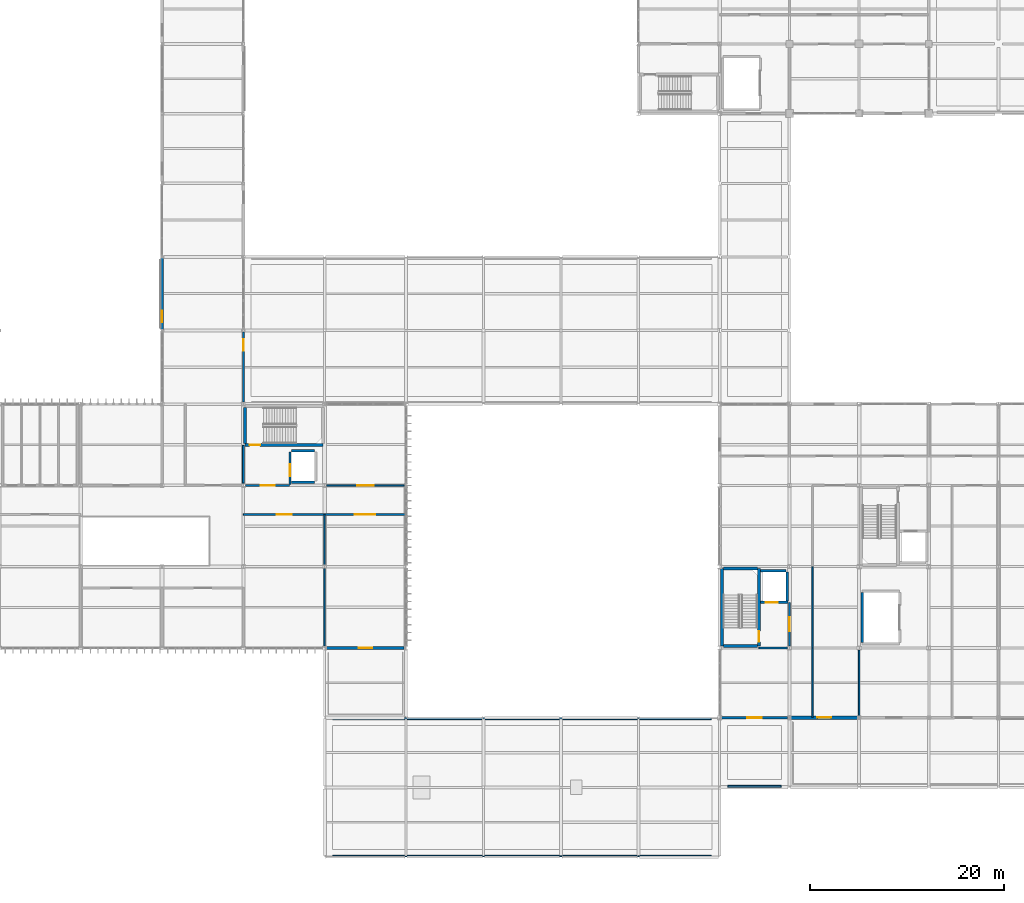
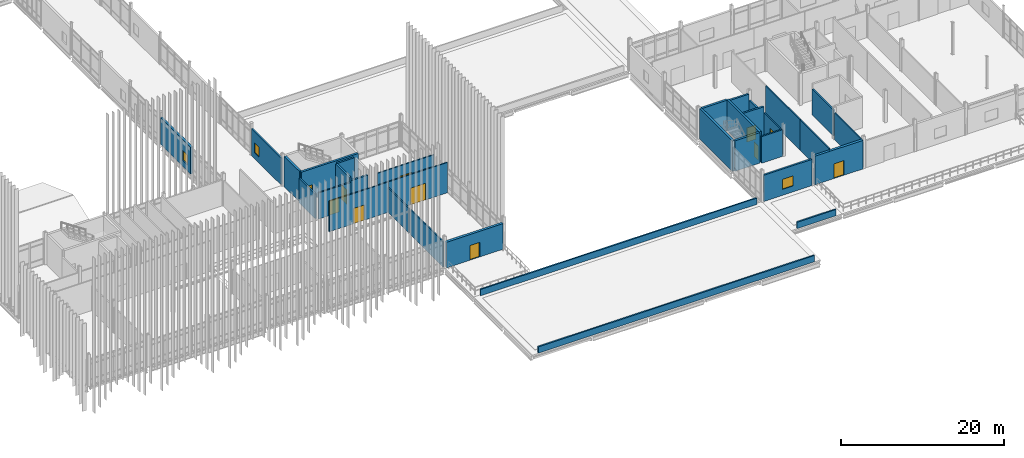
# One storey, part 128 of 153: 33 walls, 11 doors, 3 windows, 14 openings.
"""IFC4 building model written with IfcOpenShell, lengths in metres."""

from ifc_helpers import new_model, si_unit, direction, frame, frame_2d, origin, place, context, subcontext, project, spatial, rectangle, extrude, material, layer, layer_set, type_object, element, fill, save


model = new_model("IFC4")

# Units and contexts
model_context = context("Model", 3, precision=1e-05, world=origin(), true_north=direction((0.0, 1.0)))
body_context = subcontext(model_context, "Body", "Model", "MODEL_VIEW")
ifc_project = project(units=[si_unit("LENGTHUNIT", "METRE"), si_unit("AREAUNIT", "SQUARE_METRE"), si_unit("VOLUMEUNIT", "CUBIC_METRE"), si_unit("PLANEANGLEUNIT", "RADIAN"), si_unit("MASSUNIT", "GRAM", prefix="KILO")], contexts=[model_context])

# Site, building, storey
site_placement = place(None, origin())
site = spatial("IfcSite", under=ifc_project, at=site_placement, CompositionType="ELEMENT")
building_placement = place(site_placement, origin())
building = spatial("IfcBuilding", under=site, at=building_placement, Name="Calvrana Isthmian Art Gallery", CompositionType="ELEMENT")
storey_placement = place(building_placement, frame((0.0, 0.0, 10.199951171875)))
storey = spatial("IfcBuildingStorey", under=building, at=storey_placement, Name="L02", CompositionType="ELEMENT", Elevation=10.199951171875)

# Wall, opening, door
ifc_material_1 = material(Name="Concrete C40/50", Category="concrete")
ifc_layer_1 = layer(ifc_material_1, 0.300048828125, Name="Concrete C40/50")
ifc_layer_set_1 = layer_set([ifc_layer_1], Name="Concrete C40/50")
wall_type_1 = type_object("IfcWallType", Name="CW-SHAFT-300", PredefinedType="SHEAR", material=ifc_layer_set_1)
wall_1_placement = place(storey_placement, frame((63.7900390625, 42.56005859375, 0.0), z_axis=(0.0, 0.0, 1.0), x_axis=(1.0, 0.0, 0.0)))
wall_1 = element("IfcWall", 1, at=wall_1_placement, inside=storey, type_object=wall_type_1, Name="Core C2 shear wall S L02", PredefinedType="SHEAR", context=body_context, shape_type="SweptSolid", body=[
    extrude(rectangle(XDim=8.02001953125, YDim=0.300048828125, at=frame_2d((4.010009765625, 0.0))), origin(), (0.0, 0.0, 1.0), 4.56005859375),
])
opening_1_placement = place(wall_1_placement, frame((0.449951171875, 0.0, 0.0)))
opening_1 = element("IfcOpeningElement", 2, at=opening_1_placement, cuts=wall_1, Name="Opening D-120", PredefinedType="OPENING", context=body_context, shape_type="SweptSolid", body=[
    extrude(rectangle(XDim=1.10009765625, YDim=2.14990234375, at=frame_2d((0.550048828125, 1.074951171875))), frame((0.0, 0.16015625, 0.0), z_axis=(0.0, -1.0, 0.0), x_axis=(1.0, 0.0, 0.0)), (0.0, 0.0, 1.0), 0.320556640625),
])
ifc_material_2 = material(Name="Steel ASTM A572 Gr 50", Category="steel")
door_type_1 = type_object("IfcDoorType", Name="DR-FIRE-1100", OperationType="NOTDEFINED", PredefinedType="DOOR", material=ifc_material_2)
door_1_placement = place(opening_1_placement, origin())
door_1 = element("IfcDoor", 3, at=door_1_placement, inside=storey, type_object=door_type_1, Name="Stair ST-2 fire door L02", OperationType="SINGLE_SWING_LEFT", OverallHeight=2.14990234375, OverallWidth=1.10009765625, PredefinedType="DOOR", context=body_context, shape_type="SweptSolid", body=[
    extrude(rectangle(XDim=1.10009765625, YDim=2.14990234375, at=frame_2d((0.550048828125, 1.074951171875))), frame((0.0, 0.02490234375, 0.0), z_axis=(0.0, -1.0, 0.0), x_axis=(1.0, 0.0, 0.0)), (0.0, 0.0, 1.0), 0.050048828125),
])
fill(opening_1, door_1)

# Walls
wall_2_placement = place(storey_placement, frame((63.7900390625, 42.7099609375, 0.0), z_axis=(0.0, 0.0, 1.0), x_axis=(0.0, 1.0, 0.0)))
element("IfcWall", 4, at=wall_2_placement, inside=storey, type_object=wall_type_1, Name="Core C2 shear wall W L02", PredefinedType="SHEAR", context=body_context, shape_type="SweptSolid", body=[
    extrude(rectangle(XDim=3.719970703125, YDim=0.300048828125, at=frame_2d((1.85986328125, 0.0))), origin(), (0.0, 0.0, 1.0), 4.56005859375),
])
wall_3_placement = place(storey_placement, frame((113.02001953125, 21.7900390625, 0.0), z_axis=(0.0, 0.0, 1.0), x_axis=(0.0, 1.0, 0.0)))
element("IfcWall", 5, at=wall_3_placement, inside=storey, type_object=wall_type_1, Name="Core C3 shear wall W L02", PredefinedType="SHEAR", context=body_context, shape_type="SweptSolid", body=[
    extrude(rectangle(XDim=8.02001953125, YDim=0.300048828125, at=frame_2d((4.010009765625, 0.0))), origin(), (0.0, 0.0, 1.0), 4.56005859375),
])

# Wall, opening, door
wall_4_placement = place(storey_placement, frame((116.840087890625, 21.7900390625, 0.0), z_axis=(0.0, 0.0, 1.0), x_axis=(0.0, 1.0, 0.0)))
wall_4 = element("IfcWall", 6, at=wall_4_placement, inside=storey, type_object=wall_type_1, Name="Core C3 shear wall E L02", PredefinedType="SHEAR", context=body_context, shape_type="SweptSolid", body=[
    extrude(rectangle(XDim=8.02001953125, YDim=0.300048828125, at=frame_2d((4.010009765625, 0.0))), origin(), (0.0, 0.0, 1.0), 4.56005859375),
])
opening_2_placement = place(wall_4_placement, frame((0.449951171875, 0.0, 0.0)))
opening_2 = element("IfcOpeningElement", 7, at=opening_2_placement, cuts=wall_4, Name="Opening D-134", PredefinedType="OPENING", context=body_context, shape_type="SweptSolid", body=[
    extrude(rectangle(XDim=1.10009765625, YDim=2.14990234375, at=frame_2d((0.550048828125, 1.074951171875))), frame((0.0, 0.16015625, 0.0), z_axis=(0.0, -1.0, 0.0), x_axis=(1.0, 0.0, 0.0)), (0.0, 0.0, 1.0), 0.320556640625),
])
door_2_placement = place(opening_2_placement, origin())
door_2 = element("IfcDoor", 8, at=door_2_placement, inside=storey, type_object=door_type_1, Name="Stair ST-3 fire door L02", OperationType="SINGLE_SWING_RIGHT", OverallHeight=2.14990234375, OverallWidth=1.10009765625, PredefinedType="DOOR", context=body_context, shape_type="SweptSolid", body=[
    extrude(rectangle(XDim=1.10009765625, YDim=2.14990234375, at=frame_2d((0.550048828125, 1.074951171875))), frame((0.0, 0.02490234375, 0.0), z_axis=(0.0, -1.0, 0.0), x_axis=(1.0, 0.0, 0.0)), (0.0, 0.0, 1.0), 0.050048828125),
])
fill(opening_2, door_2)

# Walls
for number, where, z_axis, x_axis, name in (
    (9, (113.169921875, 21.7900390625, 0.0), (0.0, 0.0, 1.0), (1.0, 0.0, 0.0), "Core C3 shear wall S L02"),
    (10, (113.169921875, 29.81005859375, 0.0), (0.0, 0.0, 1.0), (1.0, 0.0, 0.0), "Core C3 shear wall N L02"),
):
    element("IfcWall", number, at=place(storey_placement, frame(where, z_axis=z_axis, x_axis=x_axis)), inside=storey, type_object=wall_type_1, Name=name, PredefinedType="SHEAR", context=body_context, shape_type="SweptSolid", body=[
        extrude(rectangle(XDim=3.52001953125, YDim=0.300048828125, at=frame_2d((1.760009765625, 0.0))), origin(), (0.0, 0.0, 1.0), 4.56005859375),
    ])

# Wall, opening, window
ifc_material_3 = material(Name="Precast concrete C40/50", Category="concrete")
ifc_layer_2 = layer(ifc_material_3, 0.219970703125, Name="Precast concrete C40/50")
ifc_layer_set_2 = layer_set([ifc_layer_2], Name="Precast concrete C40/50")
wall_type_2 = type_object("IfcWallType", Name="EW-ACOUST-220", PredefinedType="SOLIDWALL", material=ifc_layer_set_2)
wall_5_placement = place(storey_placement, frame((63.60009765625, 54.24755859375, 0.0), z_axis=(0.0, 0.0, 1.0), x_axis=(0.0, -1.0, 0.0)))
wall_5 = element("IfcWall", 11, at=wall_5_placement, inside=storey, type_object=wall_type_2, Name="Exterior wall EW-133", PredefinedType="SOLIDWALL", context=body_context, shape_type="SweptSolid", body=[
    extrude(rectangle(XDim=7.259521484375, YDim=0.219970703125, at=frame_2d((3.6298828125, 0.0))), origin(), (0.0, 0.0, 1.0), 4.007080078125),
])
opening_3_placement = place(wall_5_placement, frame((0.75, 0.0, 0.89990234375)))
opening_3 = element("IfcOpeningElement", 12, at=opening_3_placement, cuts=wall_5, Name="Opening W-090", PredefinedType="OPENING", context=body_context, shape_type="SweptSolid", body=[
    extrude(rectangle(XDim=1.199951171875, YDim=1.5, at=frame_2d((0.60009765625, 0.75))), frame((0.0, 0.1201171875, 0.0), z_axis=(0.0, -1.0, 0.0), x_axis=(1.0, 0.0, 0.0)), (0.0, 0.0, 1.0), 0.240478515625),
])
ifc_material_4 = material(Name="Low-E laminated solar glass", Category="glass")
window_type_1 = type_object("IfcWindowType", Name="WN-G01", PartitioningType="SINGLE_PANEL", PredefinedType="WINDOW", material=ifc_material_4)
window_1_placement = place(opening_3_placement, origin())
window_1 = element("IfcWindow", 13, at=window_1_placement, inside=storey, type_object=window_type_1, Name="Facade window W-090", OverallHeight=1.5, OverallWidth=1.199951171875, PartitioningType="SINGLE_PANEL", PredefinedType="WINDOW", context=body_context, shape_type="SweptSolid", body=[
    extrude(rectangle(XDim=1.199951171875, YDim=1.5, at=frame_2d((0.60009765625, 0.75))), frame((0.0, 0.030029296875, 0.0), z_axis=(0.0, -1.0, 0.0), x_axis=(1.0, 0.0, 0.0)), (0.0, 0.0, 1.0), 0.06005859375),
])
fill(opening_3, window_1)

ifc_material_5 = material(Name="Pale Isthmian limestone", Category="masonry")
ifc_layer_3 = layer(ifc_material_5, 0.300048828125, Name="Pale Isthmian limestone")
ifc_layer_set_3 = layer_set([ifc_layer_3], Name="Pale Isthmian limestone")
wall_type_3 = type_object("IfcWallType", Name="EW-LIME-300", PredefinedType="SOLIDWALL", material=ifc_layer_set_3)
wall_6_placement = place(storey_placement, frame((55.199951171875, 54.501708984375, 0.0), z_axis=(0.0, 0.0, 1.0), x_axis=(0.0, 1.0, 0.0)))
wall_6 = element("IfcWall", 14, at=wall_6_placement, inside=storey, type_object=wall_type_3, Name="Exterior wall EW-130", PredefinedType="SOLIDWALL", context=body_context, shape_type="SweptSolid", body=[
    extrude(rectangle(XDim=7.371337890625, YDim=0.300048828125, at=frame_2d((3.685546875, 0.0))), origin(), (0.0, 0.0, 1.0), 4.007080078125),
])
opening_4_placement = place(wall_6_placement, frame((0.75, 0.0, 0.89990234375)))
opening_4 = element("IfcOpeningElement", 15, at=opening_4_placement, cuts=wall_6, Name="Opening W-087", PredefinedType="OPENING", context=body_context, shape_type="SweptSolid", body=[
    extrude(rectangle(XDim=1.199951171875, YDim=1.5, at=frame_2d((0.60009765625, 0.75))), frame((0.0, 0.16015625, 0.0), z_axis=(0.0, -1.0, 0.0), x_axis=(1.0, 0.0, 0.0)), (0.0, 0.0, 1.0), 0.320556640625),
])
window_2_placement = place(opening_4_placement, origin())
window_2 = element("IfcWindow", 16, at=window_2_placement, inside=storey, type_object=window_type_1, Name="Facade window W-087", OverallHeight=1.5, OverallWidth=1.199951171875, PartitioningType="SINGLE_PANEL", PredefinedType="WINDOW", context=body_context, shape_type="SweptSolid", body=[
    extrude(rectangle(XDim=1.199951171875, YDim=1.5, at=frame_2d((0.60009765625, 0.75))), frame((0.0, 0.030029296875, 0.0), z_axis=(0.0, -1.0, 0.0), x_axis=(1.0, 0.0, 0.0)), (0.0, 0.0, 1.0), 0.06005859375),
])
fill(opening_4, window_2)

# Wall, opening, door
ifc_layer_4 = layer(ifc_material_3, 0.35009765625, Name="Precast concrete C40/50")
ifc_layer_set_4 = layer_set([ifc_layer_4], Name="Precast concrete C40/50")
wall_type_4 = type_object("IfcWallType", Name="EW-PREC-350", PredefinedType="SOLIDWALL", material=ifc_layer_set_4)
wall_7_placement = place(storey_placement, frame((127.014404296875, 14.39990234375, 0.0), z_axis=(0.0, 0.0, 1.0), x_axis=(-1.0, 0.0, 0.0)))
wall_7 = element("IfcWall", 17, at=wall_7_placement, inside=storey, type_object=wall_type_4, Name="Exterior wall EW-112", PredefinedType="SOLIDWALL", context=body_context, shape_type="SweptSolid", body=[
    extrude(rectangle(XDim=6.827880859375, YDim=0.35009765625, at=frame_2d((3.4140625, 0.0))), origin(), (0.0, 0.0, 1.0), 4.2861328125),
])
opening_5_placement = place(wall_7_placement, frame((2.714111328125, 0.0, 0.0)))
opening_5 = element("IfcOpeningElement", 18, at=opening_5_placement, cuts=wall_7, Name="Opening D-T23", PredefinedType="OPENING", context=body_context, shape_type="SweptSolid", body=[
    extrude(rectangle(XDim=1.39990234375, YDim=2.199951171875, at=frame_2d((0.699951171875, 1.10009765625))), frame((0.0, 0.185302734375, 0.0), z_axis=(0.0, -1.0, 0.0), x_axis=(1.0, 0.0, 0.0)), (0.0, 0.0, 1.0), 0.37060546875),
])
ifc_material_6 = material(Name="Anodized bronze aluminium 6063-T6", Category="aluminium")
door_type_2 = type_object("IfcDoorType", Name="DR-EXT-TER-1400", OperationType="NOTDEFINED", PredefinedType="DOOR", material=ifc_material_6)
door_3_placement = place(opening_5_placement, origin())
door_3 = element("IfcDoor", 19, at=door_3_placement, inside=storey, type_object=door_type_2, Name="Sculpture terrace access door D-T23", OperationType="SINGLE_SWING_RIGHT", OverallHeight=2.199951171875, OverallWidth=1.39990234375, PredefinedType="DOOR", context=body_context, shape_type="SweptSolid", body=[
    extrude(rectangle(XDim=1.39990234375, YDim=2.199951171875, at=frame_2d((0.699951171875, 1.10009765625))), frame((0.0, 0.02490234375, 0.0), z_axis=(0.0, -1.0, 0.0), x_axis=(1.0, 0.0, 0.0)), (0.0, 0.0, 1.0), 0.050048828125),
])
fill(opening_5, door_3)

wall_8_placement = place(storey_placement, frame((80.21337890625, 21.60009765625, 0.0), z_axis=(0.0, 0.0, 1.0), x_axis=(-1.0, 0.0, 0.0)))
wall_8 = element("IfcWall", 20, at=wall_8_placement, inside=storey, type_object=wall_type_4, Name="Exterior wall EW-116", PredefinedType="SOLIDWALL", context=body_context, shape_type="SweptSolid", body=[
    extrude(rectangle(XDim=8.016357421875, YDim=0.35009765625, at=frame_2d((4.00830078125, 0.0))), origin(), (0.0, 0.0, 1.0), 3.84716796875),
])
opening_6_placement = place(wall_8_placement, frame((3.308349609375, 0.0, 0.0)))
opening_6 = element("IfcOpeningElement", 21, at=opening_6_placement, cuts=wall_8, Name="Opening D-T25", PredefinedType="OPENING", context=body_context, shape_type="SweptSolid", body=[
    extrude(rectangle(XDim=1.39990234375, YDim=2.199951171875, at=frame_2d((0.699951171875, 1.10009765625))), frame((0.0, 0.185302734375, 0.0), z_axis=(0.0, -1.0, 0.0), x_axis=(1.0, 0.0, 0.0)), (0.0, 0.0, 1.0), 0.37060546875),
])
door_4_placement = place(opening_6_placement, origin())
door_4 = element("IfcDoor", 22, at=door_4_placement, inside=storey, type_object=door_type_2, Name="Sculpture terrace access door D-T25", OperationType="SINGLE_SWING_LEFT", OverallHeight=2.199951171875, OverallWidth=1.39990234375, PredefinedType="DOOR", context=body_context, shape_type="SweptSolid", body=[
    extrude(rectangle(XDim=1.39990234375, YDim=2.199951171875, at=frame_2d((0.699951171875, 1.10009765625))), frame((0.0, 0.02490234375, 0.0), z_axis=(0.0, -1.0, 0.0), x_axis=(1.0, 0.0, 0.0)), (0.0, 0.0, 1.0), 0.050048828125),
])
fill(opening_6, door_4)

# Wall, opening, window
ifc_material_7 = material(Name="Polychrome glazed terracotta", Category="masonry")
ifc_layer_5 = layer(ifc_material_7, 0.25, Name="Polychrome glazed terracotta")
ifc_layer_set_5 = layer_set([ifc_layer_5], Name="Polychrome glazed terracotta")
wall_type_5 = type_object("IfcWallType", Name="EW-TERRA-250", PredefinedType="SOLIDWALL", material=ifc_layer_set_5)
wall_9_placement = place(storey_placement, frame((119.8134765625, 14.39990234375, 0.0), z_axis=(0.0, 0.0, 1.0), x_axis=(-1.0, 0.0, 0.0)))
wall_9 = element("IfcWall", 23, at=wall_9_placement, inside=storey, type_object=wall_type_5, Name="Exterior wall EW-111", PredefinedType="SOLIDWALL", context=body_context, shape_type="SweptSolid", body=[
    extrude(rectangle(XDim=6.826904296875, YDim=0.25, at=frame_2d((3.41357421875, 0.0))), origin(), (0.0, 0.0, 1.0), 3.93310546875),
])
opening_7_placement = place(wall_9_placement, frame((2.66357421875, 0.0, 0.89990234375)))
opening_7 = element("IfcOpeningElement", 24, at=opening_7_placement, cuts=wall_9, Name="Opening W-073", PredefinedType="OPENING", context=body_context, shape_type="SweptSolid", body=[
    extrude(rectangle(XDim=1.5, YDim=1.5, at=frame_2d((0.75, 0.75))), frame((0.0, 0.13525390625, 0.0), z_axis=(0.0, -1.0, 0.0), x_axis=(1.0, 0.0, 0.0)), (0.0, 0.0, 1.0), 0.2705078125),
])
window_type_2 = type_object("IfcWindowType", Name="WN-G03", PartitioningType="SINGLE_PANEL", PredefinedType="WINDOW", material=ifc_material_4)
window_3_placement = place(opening_7_placement, origin())
window_3 = element("IfcWindow", 25, at=window_3_placement, inside=storey, type_object=window_type_2, Name="Facade window W-073", OverallHeight=1.5, OverallWidth=1.5, PartitioningType="SINGLE_PANEL", PredefinedType="WINDOW", context=body_context, shape_type="SweptSolid", body=[
    extrude(rectangle(XDim=1.5, YDim=1.5, at=frame_2d((0.75, 0.75))), frame((0.0, 0.030029296875, 0.0), z_axis=(0.0, -1.0, 0.0), x_axis=(1.0, 0.0, 0.0)), (0.0, 0.0, 1.0), 0.06005859375),
])
fill(opening_7, window_3)

# Wall
ifc_material_8 = material(Name="Acoustic gypsum ceiling", Category="gypsum")
ifc_layer_6 = layer(ifc_material_8, 0.199951171875, Name="Acoustic gypsum ceiling")
ifc_layer_set_6 = layer_set([ifc_layer_6], Name="Acoustic gypsum ceiling")
wall_type_6 = type_object("IfcWallType", Name="PW-FIRE-200", PredefinedType="PARTITIONING", material=ifc_layer_set_6)
wall_10_placement = place(storey_placement, frame((63.60009765625, 38.6201171875, 0.0), z_axis=(0.0, 0.0, 1.0), x_axis=(0.0, 1.0, 0.0)))
element("IfcWall", 26, at=wall_10_placement, inside=storey, type_object=wall_type_6, Name="Core C2 lobby west closure L02", PredefinedType="PARTITIONING", context=body_context, shape_type="SweptSolid", body=[
    extrude(rectangle(XDim=3.919921875, YDim=0.199951171875, at=frame_2d((1.9599609375, 0.0))), origin(), (0.0, 0.0, 1.0), 3.68408203125),
])

# Wall, opening, door
wall_11_placement = place(storey_placement, frame((63.820068359375, 38.39990234375, 0.0), z_axis=(0.0, 0.0, 1.0), x_axis=(1.0, 0.0, 0.0)))
wall_11 = element("IfcWall", 27, at=wall_11_placement, inside=storey, type_object=wall_type_6, Name="Core C2 lobby enclosure L02", PredefinedType="PARTITIONING", context=body_context, shape_type="SweptSolid", body=[
    extrude(rectangle(XDim=4.559814453125, YDim=0.199951171875, at=frame_2d((2.27978515625, 0.0))), origin(), (0.0, 0.0, 1.0), 3.91796875),
])
opening_8_placement = place(wall_11_placement, frame((1.554931640625, 0.0, 0.0)))
opening_8 = element("IfcOpeningElement", 28, at=opening_8_placement, cuts=wall_11, Name="Opening D-121", PredefinedType="OPENING", context=body_context, shape_type="SweptSolid", body=[
    extrude(rectangle(XDim=1.449951171875, YDim=2.199951171875, at=frame_2d((0.72509765625, 1.10009765625))), frame((0.0, 0.1103515625, 0.0), z_axis=(0.0, -1.0, 0.0), x_axis=(1.0, 0.0, 0.0)), (0.0, 0.0, 1.0), 0.220458984375),
])
door_type_3 = type_object("IfcDoorType", Name="DR-LOBBY-1450", OperationType="DOUBLE_DOOR_SINGLE_SWING", PredefinedType="DOOR", material=ifc_material_2)
door_5_placement = place(opening_8_placement, origin())
door_5 = element("IfcDoor", 29, at=door_5_placement, inside=storey, type_object=door_type_3, Name="Core C2 lobby fire door L02", OperationType="DOUBLE_DOOR_SINGLE_SWING", OverallHeight=2.199951171875, OverallWidth=1.449951171875, PredefinedType="DOOR", context=body_context, shape_type="SweptSolid", body=[
    extrude(rectangle(XDim=1.449951171875, YDim=2.199951171875, at=frame_2d((0.72509765625, 1.10009765625))), frame((0.0, 0.02490234375, 0.0), z_axis=(0.0, -1.0, 0.0), x_axis=(1.0, 0.0, 0.0)), (0.0, 0.0, 1.0), 0.050048828125),
])
fill(opening_8, door_5)

# Wall
wall_12_placement = place(storey_placement, frame((116.85009765625, 21.60009765625, 0.0), z_axis=(0.0, 0.0, 1.0), x_axis=(1.0, 0.0, 0.0)))
element("IfcWall", 30, at=wall_12_placement, inside=storey, type_object=wall_type_6, Name="Core C3 lobby south closure L02", PredefinedType="PARTITIONING", context=body_context, shape_type="SweptSolid", body=[
    extrude(rectangle(XDim=2.929931640625, YDim=0.199951171875, at=frame_2d((1.46484375, 0.0))), origin(), (0.0, 0.0, 1.0), 3.990966796875),
])

# Wall, opening, door
wall_13_placement = place(storey_placement, frame((120.0, 21.820068359375, 0.0), z_axis=(0.0, 0.0, 1.0), x_axis=(0.0, 1.0, 0.0)))
wall_13 = element("IfcWall", 31, at=wall_13_placement, inside=storey, type_object=wall_type_6, Name="Core C3 lobby enclosure L02", PredefinedType="PARTITIONING", context=body_context, shape_type="SweptSolid", body=[
    extrude(rectangle(XDim=4.4599609375, YDim=0.199951171875, at=frame_2d((2.22998046875, 0.0))), origin(), (0.0, 0.0, 1.0), 3.613037109375),
])
opening_9_placement = place(wall_13_placement, frame((1.5048828125, 0.0, 0.0)))
opening_9 = element("IfcOpeningElement", 32, at=opening_9_placement, cuts=wall_13, Name="Opening D-135", PredefinedType="OPENING", context=body_context, shape_type="SweptSolid", body=[
    extrude(rectangle(XDim=1.449951171875, YDim=2.199951171875, at=frame_2d((0.72509765625, 1.10009765625))), frame((0.0, 0.1103515625, 0.0), z_axis=(0.0, -1.0, 0.0), x_axis=(1.0, 0.0, 0.0)), (0.0, 0.0, 1.0), 0.220458984375),
])
door_6_placement = place(opening_9_placement, origin())
door_6 = element("IfcDoor", 33, at=door_6_placement, inside=storey, type_object=door_type_3, Name="Core C3 lobby fire door L02", OperationType="DOUBLE_DOOR_SINGLE_SWING", OverallHeight=2.199951171875, OverallWidth=1.449951171875, PredefinedType="DOOR", context=body_context, shape_type="SweptSolid", body=[
    extrude(rectangle(XDim=1.449951171875, YDim=2.199951171875, at=frame_2d((0.72509765625, 1.10009765625))), frame((0.0, 0.02490234375, 0.0), z_axis=(0.0, -1.0, 0.0), x_axis=(1.0, 0.0, 0.0)), (0.0, 0.0, 1.0), 0.050048828125),
])
fill(opening_9, door_6)

ifc_layer_7 = layer(ifc_material_8, 0.159912109375, Name="Acoustic gypsum ceiling")
ifc_layer_set_7 = layer_set([ifc_layer_7], Name="Acoustic gypsum ceiling")
wall_type_7 = type_object("IfcWallType", Name="PW-GAL-160", PredefinedType="PARTITIONING", material=ifc_layer_set_7)
wall_14_placement = place(storey_placement, frame((63.610107421875, 35.389892578125, 0.0), z_axis=(0.0, 0.0, 1.0), x_axis=(1.0, 0.0, 0.0)))
wall_14 = element("IfcWall", 34, at=wall_14_placement, inside=storey, type_object=wall_type_7, Name="Interior partition PW-454", PredefinedType="PARTITIONING", context=body_context, shape_type="SweptSolid", body=[
    extrude(rectangle(XDim=8.3798828125, YDim=0.159912109375, at=frame_2d((4.18994140625, 0.0))), origin(), (0.0, 0.0, 1.0), 4.5400390625),
])
opening_10_placement = place(wall_14_placement, frame((3.4150390625, 0.0, 0.0)))
opening_10 = element("IfcOpeningElement", 35, at=opening_10_placement, cuts=wall_14, Name="Opening D-432", PredefinedType="OPENING", context=body_context, shape_type="SweptSolid", body=[
    extrude(rectangle(XDim=1.550048828125, YDim=2.300048828125, at=frame_2d((0.77490234375, 1.14990234375))), frame((0.0, 0.09033203125, 0.0), z_axis=(0.0, -1.0, 0.0), x_axis=(1.0, 0.0, 0.0)), (0.0, 0.0, 1.0), 0.180419921875),
])
ifc_material_9 = material(Name="Timber gallery flooring", Category="wood")
door_type_4 = type_object("IfcDoorType", Name="DR-AUD-1550", OperationType="DOUBLE_DOOR_SINGLE_SWING", PredefinedType="DOOR", material=ifc_material_9)
door_7_placement = place(opening_10_placement, origin())
door_7 = element("IfcDoor", 36, at=door_7_placement, inside=storey, type_object=door_type_4, Name="Interior door D-432", OperationType="DOUBLE_DOOR_SINGLE_SWING", OverallHeight=2.300048828125, OverallWidth=1.550048828125, PredefinedType="DOOR", context=body_context, shape_type="SweptSolid", body=[
    extrude(rectangle(XDim=1.550048828125, YDim=2.300048828125, at=frame_2d((0.77490234375, 1.14990234375))), frame((0.0, 0.02490234375, 0.0), z_axis=(0.0, -1.0, 0.0), x_axis=(1.0, 0.0, 0.0)), (0.0, 0.0, 1.0), 0.050048828125),
])
fill(opening_10, door_7)

# Walls
wall_15_placement = place(storey_placement, frame((72.0, 21.802978515625, 0.0), z_axis=(0.0, 0.0, 1.0), x_axis=(0.0, 1.0, 0.0)))
element("IfcWall", 37, at=wall_15_placement, inside=storey, type_object=wall_type_7, Name="Interior partition PW-455", PredefinedType="PARTITIONING", context=body_context, shape_type="SweptSolid", body=[
    extrude(rectangle(XDim=7.998046875, YDim=0.159912109375, at=frame_2d((3.9990234375, 0.0))), origin(), (0.0, 0.0, 1.0), 3.76806640625),
])
wall_16_placement = place(storey_placement, frame((72.0, 30.198974609375, 0.0), z_axis=(0.0, 0.0, 1.0), x_axis=(0.0, 1.0, 0.0)))
element("IfcWall", 38, at=wall_16_placement, inside=storey, type_object=wall_type_7, Name="Interior partition PW-456", PredefinedType="PARTITIONING", context=body_context, shape_type="SweptSolid", body=[
    extrude(rectangle(XDim=5.180908203125, YDim=0.159912109375, at=frame_2d((2.59033203125, 0.0))), origin(), (0.0, 0.0, 1.0), 3.68408203125),
])

# Wall, opening, door
wall_17_placement = place(storey_placement, frame((72.010009765625, 35.389892578125, 0.0), z_axis=(0.0, 0.0, 1.0), x_axis=(1.0, 0.0, 0.0)))
wall_17 = element("IfcWall", 39, at=wall_17_placement, inside=storey, type_object=wall_type_7, Name="Interior partition PW-457", PredefinedType="PARTITIONING", context=body_context, shape_type="SweptSolid", body=[
    extrude(rectangle(XDim=8.330078125, YDim=0.159912109375, at=frame_2d((4.1650390625, 0.0))), origin(), (0.0, 0.0, 1.0), 4.5400390625),
])
opening_11_placement = place(wall_17_placement, frame((3.114990234375, 0.0, 0.0)))
opening_11 = element("IfcOpeningElement", 40, at=opening_11_placement, cuts=wall_17, Name="Opening D-433", PredefinedType="OPENING", context=body_context, shape_type="SweptSolid", body=[
    extrude(rectangle(XDim=2.10009765625, YDim=2.5, at=frame_2d((1.050048828125, 1.25))), frame((0.0, 0.09033203125, 0.0), z_axis=(0.0, -1.0, 0.0), x_axis=(1.0, 0.0, 0.0)), (0.0, 0.0, 1.0), 0.180419921875),
])
door_type_5 = type_object("IfcDoorType", Name="DR-GAL-2100", OperationType="DOUBLE_DOOR_SINGLE_SWING", PredefinedType="DOOR", material=ifc_material_9)
door_8_placement = place(opening_11_placement, origin())
door_8 = element("IfcDoor", 41, at=door_8_placement, inside=storey, type_object=door_type_5, Name="Interior door D-433", OperationType="DOUBLE_DOOR_SINGLE_SWING", OverallHeight=2.5, OverallWidth=2.10009765625, PredefinedType="DOOR", context=body_context, shape_type="SweptSolid", body=[
    extrude(rectangle(XDim=2.10009765625, YDim=2.5, at=frame_2d((1.050048828125, 1.25))), frame((0.0, 0.02490234375, 0.0), z_axis=(0.0, -1.0, 0.0), x_axis=(1.0, 0.0, 0.0)), (0.0, 0.0, 1.0), 0.050048828125),
])
fill(opening_11, door_8)

wall_18_placement = place(storey_placement, frame((72.201416015625, 38.39990234375, 0.0), z_axis=(0.0, 0.0, 1.0), x_axis=(1.0, 0.0, 0.0)))
wall_18 = element("IfcWall", 42, at=wall_18_placement, inside=storey, type_object=wall_type_7, Name="Interior partition PW-470", PredefinedType="PARTITIONING", context=body_context, shape_type="SweptSolid", body=[
    extrude(rectangle(XDim=7.9970703125, YDim=0.159912109375, at=frame_2d((3.99853515625, 0.0))), origin(), (0.0, 0.0, 1.0), 3.927978515625),
])
opening_12_placement = place(wall_18_placement, frame((3.1484375, 0.0, 0.0)))
opening_12 = element("IfcOpeningElement", 43, at=opening_12_placement, cuts=wall_18, Name="Opening D-441", PredefinedType="OPENING", context=body_context, shape_type="SweptSolid", body=[
    extrude(rectangle(XDim=1.699951171875, YDim=2.39990234375, at=frame_2d((0.85009765625, 1.199951171875))), frame((0.0, 0.09033203125, 0.0), z_axis=(0.0, -1.0, 0.0), x_axis=(1.0, 0.0, 0.0)), (0.0, 0.0, 1.0), 0.180419921875),
])
door_type_6 = type_object("IfcDoorType", Name="DR-GAL-1700", OperationType="DOUBLE_DOOR_SINGLE_SWING", PredefinedType="DOOR", material=ifc_material_9)
door_9_placement = place(opening_12_placement, origin())
door_9 = element("IfcDoor", 44, at=door_9_placement, inside=storey, type_object=door_type_6, Name="Interior door D-441", OperationType="DOUBLE_DOOR_SINGLE_SWING", OverallHeight=2.39990234375, OverallWidth=1.699951171875, PredefinedType="DOOR", context=body_context, shape_type="SweptSolid", body=[
    extrude(rectangle(XDim=1.699951171875, YDim=2.39990234375, at=frame_2d((0.85009765625, 1.199951171875))), frame((0.0, 0.02490234375, 0.0), z_axis=(0.0, -1.0, 0.0), x_axis=(1.0, 0.0, 0.0)), (0.0, 0.0, 1.0), 0.050048828125),
])
fill(opening_12, door_9)

# Walls
wall_19_placement = place(storey_placement, frame((122.39990234375, 14.43994140625, 0.0), z_axis=(0.0, 0.0, 1.0), x_axis=(0.0, 1.0, 0.0)))
element("IfcWall", 45, at=wall_19_placement, inside=storey, type_object=wall_type_7, Name="Interior partition PW-471", PredefinedType="PARTITIONING", context=body_context, shape_type="SweptSolid", body=[
    extrude(rectangle(XDim=7.14013671875, YDim=0.159912109375, at=frame_2d((3.570068359375, 0.0))), origin(), (0.0, 0.0, 1.0), 4.5400390625),
])
wall_20_placement = place(storey_placement, frame((122.39990234375, 21.6201171875, 0.0), z_axis=(0.0, 0.0, 1.0), x_axis=(0.0, 1.0, 0.0)))
element("IfcWall", 46, at=wall_20_placement, inside=storey, type_object=wall_type_7, Name="Interior partition PW-472", PredefinedType="PARTITIONING", context=body_context, shape_type="SweptSolid", body=[
    extrude(rectangle(XDim=8.35986328125, YDim=0.159912109375, at=frame_2d((4.179931640625, 0.0))), origin(), (0.0, 0.0, 1.0), 4.5400390625),
])
wall_21_placement = place(storey_placement, frame((127.199951171875, 14.596435546875, 0.0), z_axis=(0.0, 0.0, 1.0), x_axis=(0.0, 1.0, 0.0)))
element("IfcWall", 47, at=wall_21_placement, inside=storey, type_object=wall_type_7, Name="Interior partition PW-475", PredefinedType="PARTITIONING", context=body_context, shape_type="SweptSolid", body=[
    extrude(rectangle(XDim=6.798095703125, YDim=0.159912109375, at=frame_2d((3.39892578125, 0.0))), origin(), (0.0, 0.0, 1.0), 4.007080078125),
])
ifc_material_10 = material(Name="Concrete C35/45", Category="concrete")
ifc_layer_8 = layer(ifc_material_10, 0.25, Name="Concrete C35/45")
ifc_layer_set_8 = layer_set([ifc_layer_8], Name="Concrete C35/45")
wall_type_8 = type_object("IfcWallType", Name="PW-SHAFT-250", PredefinedType="PARTITIONING", material=ifc_layer_set_8)
wall_22_placement = place(storey_placement, frame((68.550048828125, 38.719970703125, 0.0), z_axis=(0.0, 0.0, 1.0), x_axis=(1.0, 0.0, 0.0)))
element("IfcWall", 48, at=wall_22_placement, inside=storey, type_object=wall_type_8, Name="Lift EL-02 shaft wall S L02", PredefinedType="PARTITIONING", context=body_context, shape_type="SweptSolid", body=[
    extrude(rectangle(XDim=2.39990234375, YDim=0.25, at=frame_2d((1.199951171875, 0.0))), origin(), (0.0, 0.0, 1.0), 3.91796875),
])
wall_23_placement = place(storey_placement, frame((68.550048828125, 41.97998046875, 0.0), z_axis=(0.0, 0.0, 1.0), x_axis=(1.0, 0.0, 0.0)))
element("IfcWall", 49, at=wall_23_placement, inside=storey, type_object=wall_type_8, Name="Lift EL-02 shaft wall N L02", PredefinedType="PARTITIONING", context=body_context, shape_type="SweptSolid", body=[
    extrude(rectangle(XDim=2.39990234375, YDim=0.25, at=frame_2d((1.199951171875, 0.0))), origin(), (0.0, 0.0, 1.0), 4.56005859375),
])

# Wall, opening, door
wall_24_placement = place(storey_placement, frame((68.419921875, 38.5, 0.0), z_axis=(0.0, 0.0, 1.0), x_axis=(0.0, 1.0, 0.0)))
wall_24 = element("IfcWall", 50, at=wall_24_placement, inside=storey, type_object=wall_type_8, Name="Lift EL-02 shaft wall W L02", PredefinedType="PARTITIONING", context=body_context, shape_type="SweptSolid", body=[
    extrude(rectangle(XDim=3.35009765625, YDim=0.25, at=frame_2d((1.675048828125, 0.0))), origin(), (0.0, 0.0, 1.0), 4.56005859375),
])
opening_13_placement = place(wall_24_placement, frame((0.85009765625, 0.0, 0.0)))
opening_13 = element("IfcOpeningElement", 51, at=opening_13_placement, cuts=wall_24, Name="Opening LD-02-L02", PredefinedType="OPENING", context=body_context, shape_type="SweptSolid", body=[
    extrude(rectangle(XDim=1.25, YDim=2.14990234375, at=frame_2d((0.625, 1.074951171875))), frame((0.0, 0.13525390625, 0.0), z_axis=(0.0, -1.0, 0.0), x_axis=(1.0, 0.0, 0.0)), (0.0, 0.0, 1.0), 0.2705078125),
])
ifc_material_11 = material(Name="Stainless steel 316", Category="steel")
door_type_7 = type_object("IfcDoorType", Name="DR-LIFT-1250", OperationType="DOUBLE_DOOR_SLIDING", PredefinedType="DOOR", material=ifc_material_11)
door_10_placement = place(opening_13_placement, origin())
door_10 = element("IfcDoor", 52, at=door_10_placement, inside=storey, type_object=door_type_7, Name="Lift EL-02 sliding landing door L02", OperationType="DOUBLE_DOOR_SLIDING", OverallHeight=2.14990234375, OverallWidth=1.25, PredefinedType="DOOR", context=body_context, shape_type="SweptSolid", body=[
    extrude(rectangle(XDim=1.25, YDim=2.14990234375, at=frame_2d((0.625, 1.074951171875))), frame((0.0, 0.02490234375, 0.0), z_axis=(0.0, -1.0, 0.0), x_axis=(1.0, 0.0, 0.0)), (0.0, 0.0, 1.0), 0.050048828125),
])
fill(opening_13, door_10)

# Walls
wall_25_placement = place(storey_placement, frame((116.989990234375, 29.580078125, 0.0), z_axis=(0.0, 0.0, 1.0), x_axis=(1.0, 0.0, 0.0)))
element("IfcWall", 53, at=wall_25_placement, inside=storey, type_object=wall_type_8, Name="Lift EL-03 shaft wall N L02", PredefinedType="PARTITIONING", context=body_context, shape_type="SweptSolid", body=[
    extrude(rectangle(XDim=2.659912109375, YDim=0.25, at=frame_2d((1.330078125, 0.0))), origin(), (0.0, 0.0, 1.0), 4.56005859375),
])
wall_26_placement = place(storey_placement, frame((119.780029296875, 26.449951171875, 0.0), z_axis=(0.0, 0.0, 1.0), x_axis=(0.0, 1.0, 0.0)))
element("IfcWall", 54, at=wall_26_placement, inside=storey, type_object=wall_type_8, Name="Lift EL-03 shaft wall E L02", PredefinedType="PARTITIONING", context=body_context, shape_type="SweptSolid", body=[
    extrude(rectangle(XDim=3.0, YDim=0.25, at=frame_2d((1.5, 0.0))), origin(), (0.0, 0.0, 1.0), 3.613037109375),
])

# Wall, opening, door
wall_27_placement = place(storey_placement, frame((116.989990234375, 26.320068359375, 0.0), z_axis=(0.0, 0.0, 1.0), x_axis=(1.0, 0.0, 0.0)))
wall_27 = element("IfcWall", 55, at=wall_27_placement, inside=storey, type_object=wall_type_8, Name="Lift EL-03 shaft wall S L02", PredefinedType="PARTITIONING", context=body_context, shape_type="SweptSolid", body=[
    extrude(rectangle(XDim=2.889892578125, YDim=0.25, at=frame_2d((1.44482421875, 0.0))), origin(), (0.0, 0.0, 1.0), 4.56005859375),
])
opening_14_placement = place(wall_27_placement, frame((0.550048828125, 0.0, 0.0)))
opening_14 = element("IfcOpeningElement", 56, at=opening_14_placement, cuts=wall_27, Name="Opening LD-03-L02", PredefinedType="OPENING", context=body_context, shape_type="SweptSolid", body=[
    extrude(rectangle(XDim=1.25, YDim=2.14990234375, at=frame_2d((0.625, 1.074951171875))), frame((0.0, 0.13525390625, 0.0), z_axis=(0.0, -1.0, 0.0), x_axis=(1.0, 0.0, 0.0)), (0.0, 0.0, 1.0), 0.2705078125),
])
door_11_placement = place(opening_14_placement, origin())
door_11 = element("IfcDoor", 57, at=door_11_placement, inside=storey, type_object=door_type_7, Name="Lift EL-03 sliding landing door L02", OperationType="DOUBLE_DOOR_SLIDING", OverallHeight=2.14990234375, OverallWidth=1.25, PredefinedType="DOOR", context=body_context, shape_type="SweptSolid", body=[
    extrude(rectangle(XDim=1.25, YDim=2.14990234375, at=frame_2d((0.625, 1.074951171875))), frame((0.0, 0.02490234375, 0.0), z_axis=(0.0, -1.0, 0.0), x_axis=(1.0, 0.0, 0.0)), (0.0, 0.0, 1.0), 0.050048828125),
])
fill(opening_14, door_11)

# Walls
wall_28_placement = place(storey_placement, frame((127.52001953125, 22.14990234375, 0.0), z_axis=(0.0, 0.0, 1.0), x_axis=(0.0, 1.0, 0.0)))
element("IfcWall", 58, at=wall_28_placement, inside=storey, type_object=wall_type_8, Name="Art goods lift L-G1 shaft W L02", PredefinedType="PARTITIONING", context=body_context, shape_type="SweptSolid", body=[
    extrude(rectangle(XDim=5.2001953125, YDim=0.25, at=frame_2d((2.60009765625, 0.0))), origin(), (0.0, 0.0, 1.0), 3.84716796875),
])
ifc_layer_9 = layer(ifc_material_5, 0.199951171875, Name="Pale Isthmian limestone")
ifc_layer_set_9 = layer_set([ifc_layer_9], Name="Pale Isthmian limestone")
wall_type_9 = type_object("IfcWallType", Name="WL-PARA-200", PredefinedType="PARAPET", material=ifc_layer_set_9)
for number, where, z_axis, x_axis, name in (
    (59, (72.85009765625, 0.1201171875, 0.0), (0.0, 0.0, 1.0), (1.0, 0.0, 0.0), "Roof parapet WP-18"),
    (60, (72.85009765625, 14.280029296875, 0.0), (0.0, 0.0, 1.0), (1.0, 0.0, 0.0), "Roof parapet WP-19"),
):
    element("IfcWall", number, at=place(storey_placement, frame(where, z_axis=z_axis, x_axis=x_axis)), inside=storey, type_object=wall_type_9, Name=name, PredefinedType="PARAPET", context=body_context, shape_type="SweptSolid", body=[
        extrude(rectangle(XDim=39.099853515625, YDim=0.199951171875, at=frame_2d((19.5498046875, 0.0))), origin(), (0.0, 0.0, 1.0), 0.949951171875),
    ])
wall_29_placement = place(storey_placement, frame((113.64990234375, 7.320068359375, 0.0), z_axis=(0.0, 0.0, 1.0), x_axis=(1.0, 0.0, 0.0)))
element("IfcWall", 61, at=wall_29_placement, inside=storey, type_object=wall_type_9, Name="Roof parapet WP-22", PredefinedType="PARAPET", context=body_context, shape_type="SweptSolid", body=[
    extrude(rectangle(XDim=5.5, YDim=0.199951171875, at=frame_2d((2.75, 0.0))), origin(), (0.0, 0.0, 1.0), 0.949951171875),
])

save(model, "model.ifc")
